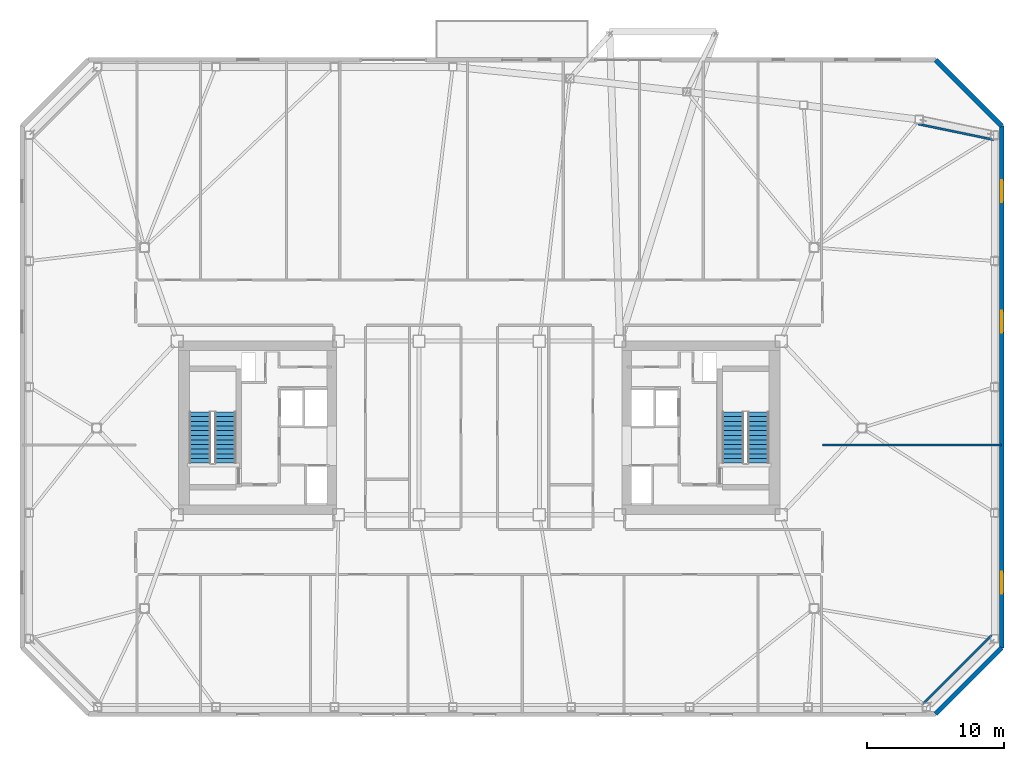
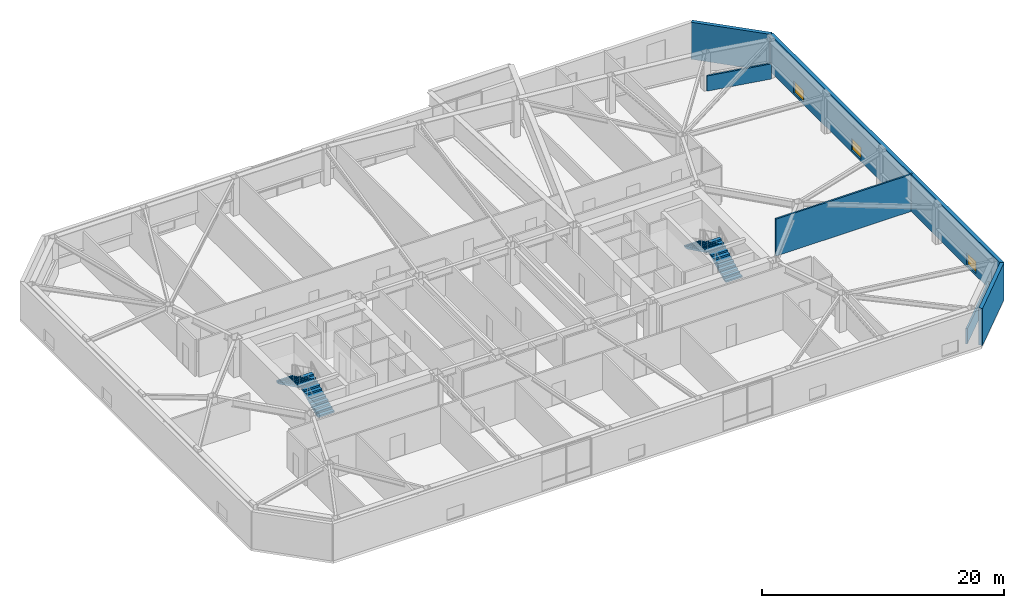
# One storey, part 14 of 19: 6 walls, 4 stair flights, 3 windows, 3 openings, 2 elements without a shape of their own.
"""IFC4 building model written with IfcOpenShell, lengths in metres."""

from ifc_helpers import new_model, si_unit, direction, frame, frame_2d, origin, place, context, subcontext, project, spatial, polyline, rectangle, outline, extrude, material, layer, layer_set, type_object, element, fill, aggregate, save


model = new_model("IFC4")

# Units and contexts
model_context = context("Model", 3, precision=1e-05, world=origin(), true_north=direction((0.0, 1.0)))
body_context = subcontext(model_context, "Body", "Model", "MODEL_VIEW")
ifc_project = project(units=[si_unit("LENGTHUNIT", "METRE"), si_unit("AREAUNIT", "SQUARE_METRE"), si_unit("VOLUMEUNIT", "CUBIC_METRE"), si_unit("PLANEANGLEUNIT", "RADIAN"), si_unit("MASSUNIT", "GRAM", prefix="KILO")], contexts=[model_context])

# Site, building, storey
site_placement = place(None, origin())
site = spatial("IfcSite", under=ifc_project, at=site_placement, CompositionType="ELEMENT")
building_placement = place(site_placement, origin())
building = spatial("IfcBuilding", under=site, at=building_placement, Name="Tavrogorsk Clinical Tower", CompositionType="ELEMENT")
storey_placement = place(building_placement, frame((0.0, 0.0, 172.199951171875)))
storey = spatial("IfcBuildingStorey", under=building, at=storey_placement, Name="L39", CompositionType="ELEMENT", Elevation=172.199951171875)

# Walls
ifc_material_1 = material(Name="Lightweight concrete blockwork B15", Category="masonry")
ifc_layer_1 = layer(ifc_material_1, 0.159912109375)
ifc_layer_set_1 = layer_set([ifc_layer_1], Name="Lightweight concrete blockwork B15")
wall_type_1 = type_object("IfcWallType", Name="PartitionWall_160", PredefinedType="PARTITIONING", material=ifc_layer_set_1)
wall_1_placement = place(storey_placement, frame((32.4794921875, -20.1796875, 0.0), z_axis=(0.0, 0.0, 1.0), x_axis=(0.707106781187, 0.707106781187, 0.0)))
element("IfcWall", 1, at=wall_1_placement, inside=storey, type_object=wall_type_1, Name="L39 Corner Exoskeleton Brace Furring Wall 1", PredefinedType="PARTITIONING", context=body_context, shape_type="SweptSolid", body=[
    extrude(rectangle(XDim=7.071044921875, YDim=0.159912109375, at=frame_2d((3.53564453125, 0.0))), origin(), (0.0, 0.0, 1.0), 1.53515625),
])
wall_2_placement = place(storey_placement, frame((37.65087890625, 21.0869140625, 0.0), z_axis=(0.0, 0.0, 1.0), x_axis=(-0.979184618318, 0.202971631636, 0.0)))
element("IfcWall", 2, at=wall_2_placement, inside=storey, type_object=wall_type_1, Name="L39 Corner Exoskeleton Brace Furring Wall 2", PredefinedType="PARTITIONING", context=body_context, shape_type="SweptSolid", body=[
    extrude(rectangle(XDim=5.64599609375, YDim=0.159912109375, at=frame_2d((2.822998046875, 0.0))), origin(), (0.0, 0.0, 1.0), 1.53515625),
])
wall_3_placement = place(storey_placement, frame((25.1298828125, -1.25, 0.0), z_axis=(0.0, 0.0, 1.0), x_axis=(1.0, 0.0, 0.0)))
element("IfcWall", 3, at=wall_3_placement, inside=storey, type_object=wall_type_1, Name="L39 E Wing Divider 1", PredefinedType="PARTITIONING", context=body_context, shape_type="SweptSolid", body=[
    extrude(rectangle(XDim=13.080078125, YDim=0.159912109375, at=frame_2d((6.5400390625, 0.0))), origin(), (0.0, 0.0, 1.0), 3.739990234375),
])

# Wall, openings, windows
ifc_material_2 = material(Name="Precast concrete B45 with limestone cladding", Category="masonry")
ifc_layer_2 = layer(ifc_material_2, 0.340087890625)
ifc_layer_set_2 = layer_set([ifc_layer_2], Name="Precast concrete B45 with limestone cladding")
wall_type_2 = type_object("IfcWallType", Name="PrecastLimestoneWall_340", PredefinedType="STANDARD", material=ifc_layer_set_2)
wall_4_placement = place(storey_placement, frame((38.22998046875, -16.10009765625, 0.0), z_axis=(0.0, 0.0, 1.0), x_axis=(0.0, 1.0, 0.0)))
wall_4 = element("IfcWall", 4, at=wall_4_placement, inside=storey, type_object=wall_type_2, Name="L39 E Pleated Limestone Wing Wall", PredefinedType="STANDARD", context=body_context, shape_type="SweptSolid", body=[
    extrude(rectangle(XDim=38.2001953125, YDim=0.340087890625, at=frame_2d((19.10009765625, 0.0))), origin(), (0.0, 0.0, 1.0), 3.739990234375),
])
opening_1_placement = place(wall_4_placement, frame((3.97509765625, 0.0, 0.219970703125)))
opening_1 = element("IfcOpeningElement", 5, at=opening_1_placement, cuts=wall_4, Name="Opening WN-09", PredefinedType="OPENING", context=body_context, shape_type="SweptSolid", body=[
    extrude(rectangle(XDim=1.60009765625, YDim=1.199951171875, at=frame_2d((0.800048828125, 0.60009765625))), frame((0.0, 0.179931640625, 0.0), z_axis=(0.0, -1.0, 0.0), x_axis=(1.0, 0.0, 0.0)), (0.0, 0.0, 1.0), 0.360107421875),
])
opening_2_placement = place(wall_4_placement, frame((23.074951171875, 0.0, 0.219970703125)))
opening_2 = element("IfcOpeningElement", 6, at=opening_2_placement, cuts=wall_4, Name="Opening WN-09", PredefinedType="OPENING", context=body_context, shape_type="SweptSolid", body=[
    extrude(rectangle(XDim=1.60009765625, YDim=1.199951171875, at=frame_2d((0.800048828125, 0.60009765625))), frame((0.0, 0.179931640625, 0.0), z_axis=(0.0, -1.0, 0.0), x_axis=(1.0, 0.0, 0.0)), (0.0, 0.0, 1.0), 0.360107421875),
])
opening_3_placement = place(wall_4_placement, frame((32.625, 0.0, 0.219970703125)))
opening_3 = element("IfcOpeningElement", 7, at=opening_3_placement, cuts=wall_4, Name="Opening WN-09", PredefinedType="OPENING", context=body_context, shape_type="SweptSolid", body=[
    extrude(rectangle(XDim=1.60009765625, YDim=1.199951171875, at=frame_2d((0.800048828125, 0.60009765625))), frame((0.0, 0.179931640625, 0.0), z_axis=(0.0, -1.0, 0.0), x_axis=(1.0, 0.0, 0.0)), (0.0, 0.0, 1.0), 0.360107421875),
])
ifc_material_3 = material(Name="Thermally broken aluminium frame and triple IGU", Category="aluminium")
window_type = type_object("IfcWindowType", Name="LowHeadTransWin_1600x1200", PartitioningType="DOUBLE_PANEL_VERTICAL", PredefinedType="WINDOW", material=ifc_material_3)
window_1_placement = place(opening_1_placement, origin())
window_1 = element("IfcWindow", 8, at=window_1_placement, inside=storey, type_object=window_type, Name="L39 E Pleat Slot Window 1", OverallHeight=1.199951171875, OverallWidth=1.60009765625, PartitioningType="SINGLE_PANEL", PredefinedType="WINDOW", context=body_context, shape_type="SweptSolid", body=[
    extrude(rectangle(XDim=1.60009765625, YDim=1.199951171875, at=frame_2d((0.800048828125, 0.60009765625))), frame((0.0, 0.030029296875, 0.0), z_axis=(0.0, -1.0, 0.0), x_axis=(1.0, 0.0, 0.0)), (0.0, 0.0, 1.0), 0.06005859375),
])
fill(opening_1, window_1)
window_2_placement = place(opening_2_placement, origin())
window_2 = element("IfcWindow", 9, at=window_2_placement, inside=storey, type_object=window_type, Name="L39 E Pleat Slot Window 3", OverallHeight=1.199951171875, OverallWidth=1.60009765625, PartitioningType="SINGLE_PANEL", PredefinedType="WINDOW", context=body_context, shape_type="SweptSolid", body=[
    extrude(rectangle(XDim=1.60009765625, YDim=1.199951171875, at=frame_2d((0.800048828125, 0.60009765625))), frame((0.0, 0.030029296875, 0.0), z_axis=(0.0, -1.0, 0.0), x_axis=(1.0, 0.0, 0.0)), (0.0, 0.0, 1.0), 0.06005859375),
])
fill(opening_2, window_2)
window_3_placement = place(opening_3_placement, origin())
window_3 = element("IfcWindow", 10, at=window_3_placement, inside=storey, type_object=window_type, Name="L39 E Pleat Slot Window 4", OverallHeight=1.199951171875, OverallWidth=1.60009765625, PartitioningType="SINGLE_PANEL", PredefinedType="WINDOW", context=body_context, shape_type="SweptSolid", body=[
    extrude(rectangle(XDim=1.60009765625, YDim=1.199951171875, at=frame_2d((0.800048828125, 0.60009765625))), frame((0.0, 0.030029296875, 0.0), z_axis=(0.0, -1.0, 0.0), x_axis=(1.0, 0.0, 0.0)), (0.0, 0.0, 1.0), 0.06005859375),
])
fill(opening_3, window_3)

# Walls
for number, where, z_axis, x_axis, name in (
    (11, (33.39990234375, -20.929931640625, 0.0), (0.0, 0.0, 1.0), (0.707124652085, 0.707088909836, 0.0), "L39 Chamfered Corner Wall 1"),
    (12, (38.22998046875, 22.10009765625, 0.0), (0.0, 0.0, 1.0), (-0.707124652085, 0.707088909836, 0.0), "L39 Chamfered Corner Wall 2"),
):
    element("IfcWall", number, at=place(storey_placement, frame(where, z_axis=z_axis, x_axis=x_axis)), inside=storey, type_object=wall_type_2, Name=name, PredefinedType="STANDARD", context=body_context, shape_type="SweptSolid", body=[
        extrude(rectangle(XDim=6.83056640625, YDim=0.340087890625, at=frame_2d((3.415283203125, 0.0))), origin(), (0.0, 0.0, 1.0), 3.739990234375),
    ])

# Stair, stair flights
ifc_material_4 = material(Name="Concrete B60", Category="concrete")
stair_type = type_object("IfcStairType", Name="CoreStairAssembly", PredefinedType="HALF_TURN_STAIR", material=ifc_material_4)
stair_1_placement = place(storey_placement, origin())
stair_1 = element("IfcStair", 13, at=stair_1_placement, inside=storey, type_object=stair_type, Name="L39 ST-W", PredefinedType="HALF_TURN_STAIR")
ifc_material_5 = material(Name="Concrete B60", Category="concrete")
stair_flight_type = type_object("IfcStairFlightType", Name="CoreStairFlight", PredefinedType="STRAIGHT", material=ifc_material_5)
stair_flight_1_placement = place(storey_placement, frame((-18.574951171875, -2.574951171875, 0.0), z_axis=(0.0, 0.0, 1.0), x_axis=(0.0, 1.0, 0.0)))
stair_flight_1 = element("IfcStairFlight", 14, at=stair_flight_1_placement, type_object=stair_flight_type, Name="ST-W flight 1", NumberOfRisers=12, NumberOfTreads=11, PredefinedType="STRAIGHT", RiserHeight=0.166666667, TreadLength=0.34, context=body_context, shape_type="SweptSolid", body=[
    extrude(outline(polyline([(0.0, 0.0), (0.0, 0.166748046875), (0.340087890625, 0.166748046875), (0.340087890625, 0.333251953125), (0.679931640625, 0.333251953125), (0.679931640625, 0.5), (1.02001953125, 0.5), (1.02001953125, 0.666748046875), (1.360107421875, 0.666748046875), (1.360107421875, 0.833251953125), (1.699951171875, 0.833251953125), (1.699951171875, 1.0), (2.0400390625, 1.0), (2.0400390625, 1.166748046875), (2.3798828125, 1.166748046875), (2.3798828125, 1.333251953125), (2.719970703125, 1.333251953125), (2.719970703125, 1.5), (3.06005859375, 1.5), (3.06005859375, 1.666748046875), (3.39990234375, 1.666748046875), (3.39990234375, 1.833251953125), (3.739990234375, 1.833251953125), (3.739990234375, 2.0), (3.739990234375, 1.66650390625), (0.340576171875, 0.0), (0.0, 0.0)])), frame((0.0, 0.77490234375, 0.0), z_axis=(0.0, -1.0, 0.0), x_axis=(1.0, 0.0, 0.0)), (0.0, 0.0, 1.0), 1.550048828125),
])
stair_flight_2_placement = place(storey_placement, frame((-20.425048828125, 1.1650390625, 2.0), z_axis=(0.0, 0.0, 1.0), x_axis=(0.0, -1.0, 0.0)))
stair_flight_2 = element("IfcStairFlight", 15, at=stair_flight_2_placement, type_object=stair_flight_type, Name="ST-W flight 2", NumberOfRisers=12, NumberOfTreads=11, PredefinedType="STRAIGHT", RiserHeight=0.166666667, TreadLength=0.34, context=body_context, shape_type="SweptSolid", body=[
    extrude(outline(polyline([(0.0, 0.0), (0.0, 0.166748046875), (0.340087890625, 0.166748046875), (0.340087890625, 0.333251953125), (0.679931640625, 0.333251953125), (0.679931640625, 0.5), (1.02001953125, 0.5), (1.02001953125, 0.666748046875), (1.360107421875, 0.666748046875), (1.360107421875, 0.833251953125), (1.699951171875, 0.833251953125), (1.699951171875, 1.0), (2.0400390625, 1.0), (2.0400390625, 1.166748046875), (2.3798828125, 1.166748046875), (2.3798828125, 1.333251953125), (2.719970703125, 1.333251953125), (2.719970703125, 1.5), (3.06005859375, 1.5), (3.06005859375, 1.666748046875), (3.39990234375, 1.666748046875), (3.39990234375, 1.833251953125), (3.739990234375, 1.833251953125), (3.739990234375, 2.0), (3.739990234375, 1.66650390625), (0.340576171875, 0.0), (0.0, 0.0)])), frame((0.0, 0.77490234375, 0.0), z_axis=(0.0, -1.0, 0.0), x_axis=(1.0, 0.0, 0.0)), (0.0, 0.0, 1.0), 1.550048828125),
])
aggregate(stair_1, [stair_flight_1, stair_flight_2])

stair_2_placement = place(storey_placement, origin())
stair_2 = element("IfcStair", 16, at=stair_2_placement, inside=storey, type_object=stair_type, Name="L39 ST-E", PredefinedType="HALF_TURN_STAIR")
stair_flight_3_placement = place(storey_placement, frame((20.425048828125, -2.574951171875, 0.0), z_axis=(0.0, 0.0, 1.0), x_axis=(0.0, 1.0, 0.0)))
stair_flight_3 = element("IfcStairFlight", 17, at=stair_flight_3_placement, type_object=stair_flight_type, Name="ST-E flight 1", NumberOfRisers=12, NumberOfTreads=11, PredefinedType="STRAIGHT", RiserHeight=0.166666667, TreadLength=0.34, context=body_context, shape_type="SweptSolid", body=[
    extrude(outline(polyline([(0.0, 0.0), (0.0, 0.166748046875), (0.340087890625, 0.166748046875), (0.340087890625, 0.333251953125), (0.679931640625, 0.333251953125), (0.679931640625, 0.5), (1.02001953125, 0.5), (1.02001953125, 0.666748046875), (1.360107421875, 0.666748046875), (1.360107421875, 0.833251953125), (1.699951171875, 0.833251953125), (1.699951171875, 1.0), (2.0400390625, 1.0), (2.0400390625, 1.166748046875), (2.3798828125, 1.166748046875), (2.3798828125, 1.333251953125), (2.719970703125, 1.333251953125), (2.719970703125, 1.5), (3.06005859375, 1.5), (3.06005859375, 1.666748046875), (3.39990234375, 1.666748046875), (3.39990234375, 1.833251953125), (3.739990234375, 1.833251953125), (3.739990234375, 2.0), (3.739990234375, 1.66650390625), (0.340576171875, 0.0), (0.0, 0.0)])), frame((0.0, 0.77490234375, 0.0), z_axis=(0.0, -1.0, 0.0), x_axis=(1.0, 0.0, 0.0)), (0.0, 0.0, 1.0), 1.550048828125),
])
stair_flight_4_placement = place(storey_placement, frame((18.574951171875, 1.1650390625, 2.0), z_axis=(0.0, 0.0, 1.0), x_axis=(0.0, -1.0, 0.0)))
stair_flight_4 = element("IfcStairFlight", 18, at=stair_flight_4_placement, type_object=stair_flight_type, Name="ST-E flight 2", NumberOfRisers=12, NumberOfTreads=11, PredefinedType="STRAIGHT", RiserHeight=0.166666667, TreadLength=0.34, context=body_context, shape_type="SweptSolid", body=[
    extrude(outline(polyline([(0.0, 0.0), (0.0, 0.166748046875), (0.340087890625, 0.166748046875), (0.340087890625, 0.333251953125), (0.679931640625, 0.333251953125), (0.679931640625, 0.5), (1.02001953125, 0.5), (1.02001953125, 0.666748046875), (1.360107421875, 0.666748046875), (1.360107421875, 0.833251953125), (1.699951171875, 0.833251953125), (1.699951171875, 1.0), (2.0400390625, 1.0), (2.0400390625, 1.166748046875), (2.3798828125, 1.166748046875), (2.3798828125, 1.333251953125), (2.719970703125, 1.333251953125), (2.719970703125, 1.5), (3.06005859375, 1.5), (3.06005859375, 1.666748046875), (3.39990234375, 1.666748046875), (3.39990234375, 1.833251953125), (3.739990234375, 1.833251953125), (3.739990234375, 2.0), (3.739990234375, 1.66650390625), (0.340576171875, 0.0), (0.0, 0.0)])), frame((0.0, 0.77490234375, 0.0), z_axis=(0.0, -1.0, 0.0), x_axis=(1.0, 0.0, 0.0)), (0.0, 0.0, 1.0), 1.550048828125),
])
aggregate(stair_2, [stair_flight_3, stair_flight_4])

save(model, "model.ifc")
